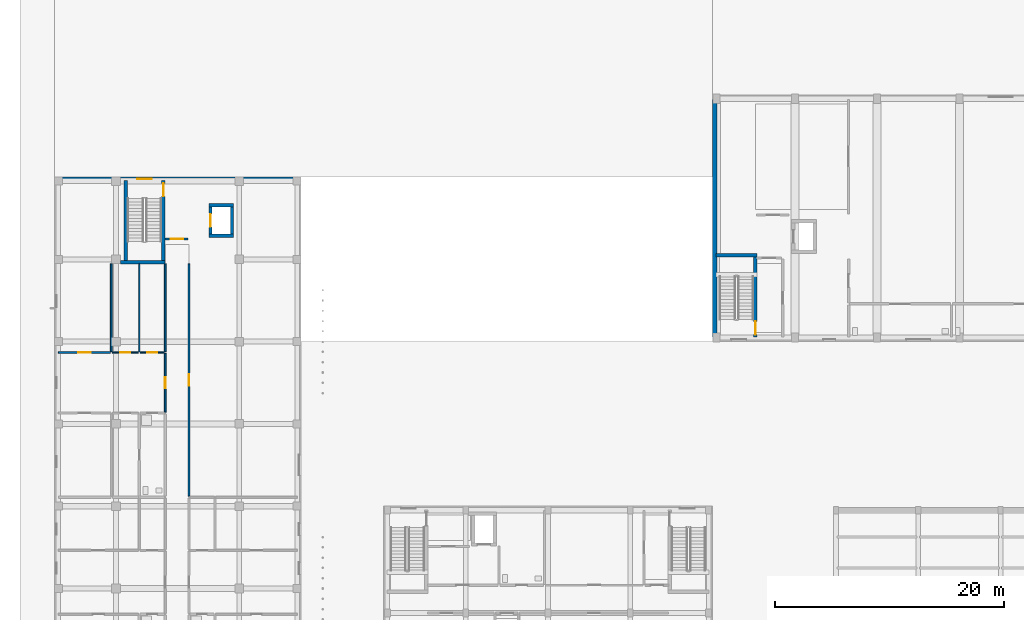
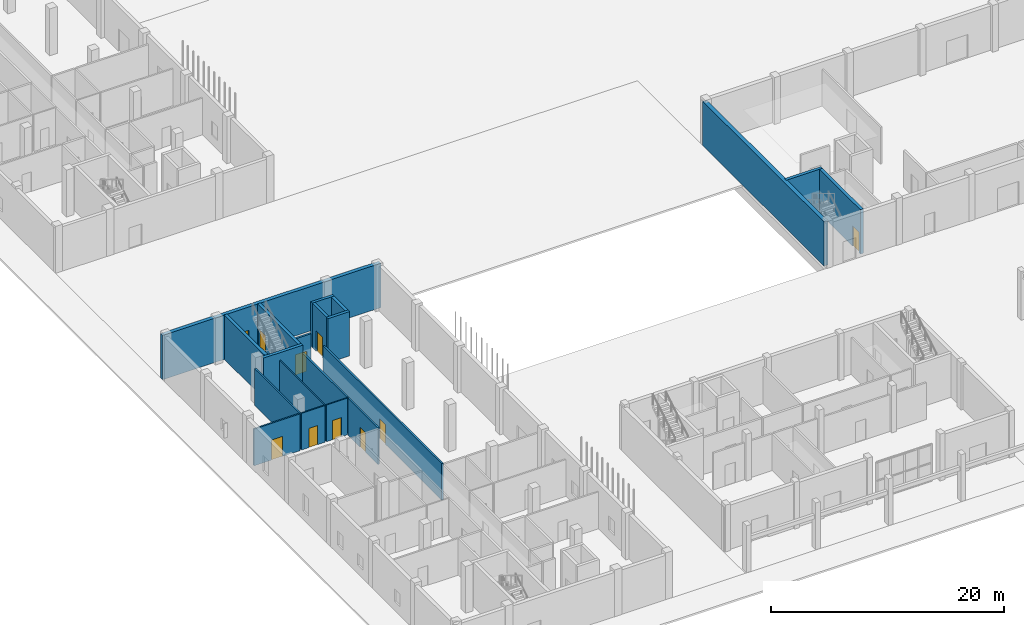
# One storey, part 39 of 85: 20 walls, 10 doors, 10 openings.
"""IFC4 building model written with IfcOpenShell, lengths in metres."""

from ifc_helpers import new_model, si_unit, derived_unit, direction, frame, frame_2d, origin, place, context, subcontext, project, spatial, rectangle, extrude, material, layer, layer_set, type_object, element, fill, save


model = new_model("IFC4")

# Units and contexts
model_context = context("Model", 3, precision=1e-05, world=origin(), true_north=direction((0.0, 1.0)))
body_context = subcontext(model_context, "Body", "Model", "MODEL_VIEW")
ifc_project = project(units=[si_unit("LENGTHUNIT", "METRE"), si_unit("AREAUNIT", "SQUARE_METRE"), si_unit("VOLUMEUNIT", "CUBIC_METRE"), si_unit("PLANEANGLEUNIT", "RADIAN"), si_unit("MASSUNIT", "GRAM", prefix="KILO"), derived_unit("THERMALTRANSMITTANCEUNIT", [(si_unit("MASSUNIT", "GRAM", prefix="KILO"), 1), (si_unit("TIMEUNIT", "SECOND"), -3), (si_unit("THERMODYNAMICTEMPERATUREUNIT", "KELVIN"), -1)])], contexts=[model_context])

# Site, building, storey
site_placement = place(None, origin())
site = spatial("IfcSite", under=ifc_project, at=site_placement, CompositionType="ELEMENT")
building_placement = place(site_placement, origin())
building = spatial("IfcBuilding", under=site, at=building_placement, Name="Ochrekiln Boulevard Commons", CompositionType="ELEMENT")
storey_placement = place(building_placement, origin())
storey = spatial("IfcBuildingStorey", under=building, at=storey_placement, Name="L00", CompositionType="ELEMENT", Elevation=0.0)

# Wall
ifc_material_1 = material(Name="Iron-spot brown clinker brick masonry ASTM C216 Grade SW", Category="masonry")
ifc_layer_1 = layer(ifc_material_1, 0.39990234375)
ifc_layer_set_1 = layer_set([ifc_layer_1], Name="Iron-spot brown clinker brick masonry ASTM C216 Grade SW")
wall_type_1 = type_object("IfcWallType", Name="WL-EXT-HALL-400", PredefinedType="SOLIDWALL", material=ifc_layer_set_1)
wall_1_placement = place(storey_placement, frame((57.800048828125, 36.39990234375, 0.0), z_axis=(0.0, 0.0, 1.0), x_axis=(0.0, 1.0, 0.0)))
element("IfcWall", 1, at=wall_1_placement, inside=storey, type_object=wall_type_1, Name="Community Hall L00 W Exterior Wall", PredefinedType="SOLIDWALL", context=body_context, shape_type="SweptSolid", body=[
    extrude(rectangle(XDim=20.800048828125, YDim=0.39990234375, at=frame_2d((10.39990234375, 0.0))), origin(), (0.0, 0.0, 1.0), 4.6298828125),
])

# Wall, opening, door
ifc_layer_2 = layer(ifc_material_1, 0.364990234375)
ifc_layer_set_2 = layer_set([ifc_layer_2], Name="Iron-spot brown clinker brick masonry ASTM C216 Grade SW")
wall_type_2 = type_object("IfcWallType", Name="WL-EXT-IRON-365", PredefinedType="SOLIDWALL", material=ifc_layer_set_2)
wall_2_placement = place(storey_placement, frame((0.0, 50.217529296875, 0.0), z_axis=(0.0, 0.0, 1.0), x_axis=(1.0, 0.0, 0.0)))
wall_2 = element("IfcWall", 2, at=wall_2_placement, inside=storey, type_object=wall_type_2, Name="Block D L00 N Exterior Wall", PredefinedType="SOLIDWALL", context=body_context, shape_type="SweptSolid", body=[
    extrude(rectangle(XDim=21.60009765625, YDim=0.364990234375, at=frame_2d((10.800048828125, 0.0))), origin(), (0.0, 0.0, 1.0), 4.639892578125),
])
opening_1_placement = place(wall_2_placement, frame((7.25, 0.0, 0.0)))
opening_1 = element("IfcOpeningElement", 3, at=opening_1_placement, cuts=wall_2, Name="Opening D-L00-EX37", PredefinedType="OPENING", context=body_context, shape_type="SweptSolid", body=[
    extrude(rectangle(XDim=1.300048828125, YDim=2.199951171875, at=frame_2d((0.64990234375, 1.10009765625))), frame((0.0, 0.1923828125, 0.0), z_axis=(0.0, -1.0, 0.0), x_axis=(1.0, 0.0, 0.0)), (0.0, 0.0, 1.0), 0.385009765625),
])
ifc_material_2 = material(Name="Bronze-anodized extruded aluminium 6063-T6", Category="aluminium")
door_type_1 = type_object("IfcDoorType", Name="DR-EXT-STAIR-130", OperationType="NOTDEFINED", PredefinedType="DOOR", material=ifc_material_2)
door_1_placement = place(opening_1_placement, origin())
door_1 = element("IfcDoor", 4, at=door_1_placement, inside=storey, type_object=door_type_1, Name="Stair ST-D2 Exterior Exit Discharge Door", OperationType="SINGLE_SWING_LEFT", OverallHeight=2.199951171875, OverallWidth=1.300048828125, PredefinedType="DOOR", context=body_context, shape_type="SweptSolid", body=[
    extrude(rectangle(XDim=1.300048828125, YDim=2.199951171875, at=frame_2d((0.64990234375, 1.10009765625))), frame((0.0, 0.02490234375, 0.0), z_axis=(0.0, -1.0, 0.0), x_axis=(1.0, 0.0, 0.0)), (0.0, 0.0, 1.0), 0.050048828125),
])
fill(opening_1, door_1)

ifc_material_3 = material(Name="Fire-rated Type X gypsum board on steel studs", Category="steel")
ifc_layer_3 = layer(ifc_material_3, 0.1650390625)
ifc_layer_set_3 = layer_set([ifc_layer_3], Name="Fire-rated Type X gypsum board on steel studs")
wall_type_3 = type_object("IfcWallType", Name="WL-PT-CORR-165", PredefinedType="PARTITIONING", material=ifc_layer_set_3)
wall_3_placement = place(storey_placement, frame((9.7099609375, 29.830078125, 0.0), z_axis=(0.0, 0.0, 1.0), x_axis=(0.0, 1.0, 0.0)))
wall_3 = element("IfcWall", 5, at=wall_3_placement, inside=storey, type_object=wall_type_3, Name="L00 Interior Wall W-PC165", PredefinedType="PARTITIONING", context=body_context, shape_type="SweptSolid", body=[
    extrude(rectangle(XDim=5.139892578125, YDim=0.1650390625, at=frame_2d((2.56982421875, 0.0))), origin(), (0.0, 0.0, 1.0), 3.840087890625),
])
opening_2_placement = place(wall_3_placement, frame((2.080078125, 0.0, 0.0)))
opening_2 = element("IfcOpeningElement", 6, at=opening_2_placement, cuts=wall_3, Name="Opening D-L00-084", PredefinedType="OPENING", context=body_context, shape_type="SweptSolid", body=[
    extrude(rectangle(XDim=0.97998046875, YDim=2.080078125, at=frame_2d((0.489990234375, 1.0400390625))), frame((0.0, 0.092529296875, 0.0), z_axis=(0.0, -1.0, 0.0), x_axis=(1.0, 0.0, 0.0)), (0.0, 0.0, 1.0), 0.18505859375),
])
ifc_material_4 = material(Name="Solid core architectural oak door leaf")
door_type_2 = type_object("IfcDoorType", Name="DR-APT-60", OperationType="NOTDEFINED", PredefinedType="DOOR", material=ifc_material_4)
door_2_placement = place(opening_2_placement, origin())
door_2 = element("IfcDoor", 7, at=door_2_placement, inside=storey, type_object=door_type_2, Name="L00 Interior Door to Two-Bedroom Apartment Living Room", OperationType="SINGLE_SWING_RIGHT", OverallHeight=2.080078125, OverallWidth=0.97998046875, PredefinedType="DOOR", context=body_context, shape_type="SweptSolid", body=[
    extrude(rectangle(XDim=0.97998046875, YDim=2.080078125, at=frame_2d((0.489990234375, 1.0400390625))), frame((0.0, 0.02490234375, 0.0), z_axis=(0.0, -1.0, 0.0), x_axis=(1.0, 0.0, 0.0)), (0.0, 0.0, 1.0), 0.050048828125),
])
fill(opening_2, door_2)

# Wall
wall_4_placement = place(storey_placement, frame((9.7099609375, 35.1298828125, 0.0), z_axis=(0.0, 0.0, 1.0), x_axis=(0.0, 1.0, 0.0)))
element("IfcWall", 8, at=wall_4_placement, inside=storey, type_object=wall_type_3, Name="L00 Interior Wall W-PC165", PredefinedType="PARTITIONING", context=body_context, shape_type="SweptSolid", body=[
    extrude(rectangle(XDim=7.670166015625, YDim=0.1650390625, at=frame_2d((3.8349609375, 0.0))), origin(), (0.0, 0.0, 1.0), 3.840087890625),
])

# Wall, opening, door
wall_5_placement = place(storey_placement, frame((11.7900390625, 22.47412109375, 0.0), z_axis=(0.0, 0.0, 1.0), x_axis=(0.0, 1.0, 0.0)))
wall_5 = element("IfcWall", 9, at=wall_5_placement, inside=storey, type_object=wall_type_3, Name="L00 Interior Wall W-PC165", PredefinedType="PARTITIONING", context=body_context, shape_type="SweptSolid", body=[
    extrude(rectangle(XDim=20.325927734375, YDim=0.1650390625, at=frame_2d((10.1630859375, 0.0))), origin(), (0.0, 0.0, 1.0), 3.840087890625),
])
opening_3_placement = place(wall_5_placement, frame((9.673095703125, 0.0, 0.0)))
opening_3 = element("IfcOpeningElement", 10, at=opening_3_placement, cuts=wall_5, Name="Opening D-L00-086", PredefinedType="OPENING", context=body_context, shape_type="SweptSolid", body=[
    extrude(rectangle(XDim=0.97998046875, YDim=2.080078125, at=frame_2d((0.489990234375, 1.0400390625))), frame((0.0, 0.092529296875, 0.0), z_axis=(0.0, -1.0, 0.0), x_axis=(1.0, 0.0, 0.0)), (0.0, 0.0, 1.0), 0.18505859375),
])
door_3_placement = place(opening_3_placement, frame((0.97998046875, 0.0, 0.0), z_axis=(0.0, 0.0, 1.0), x_axis=(-1.0, 0.0, 0.0)))
door_3 = element("IfcDoor", 11, at=door_3_placement, inside=storey, type_object=door_type_2, Name="L00 Interior Door to Block D Ground Entrance Lobby", OperationType="SINGLE_SWING_RIGHT", OverallHeight=2.080078125, OverallWidth=0.97998046875, PredefinedType="DOOR", context=body_context, shape_type="SweptSolid", body=[
    extrude(rectangle(XDim=0.97998046875, YDim=2.080078125, at=frame_2d((0.489990234375, 1.0400390625))), frame((0.0, 0.02490234375, 0.0), z_axis=(0.0, -1.0, 0.0), x_axis=(1.0, 0.0, 0.0)), (0.0, 0.0, 1.0), 0.050048828125),
])
fill(opening_3, door_3)

ifc_layer_4 = layer(ifc_material_3, 0.18994140625)
ifc_layer_set_4 = layer_set([ifc_layer_4], Name="Fire-rated Type X gypsum board on steel studs")
wall_type_4 = type_object("IfcWallType", Name="WL-PT-LBY-190", PredefinedType="PARTITIONING", material=ifc_layer_set_4)
wall_6_placement = place(storey_placement, frame((9.699951171875, 44.97998046875, 0.0), z_axis=(0.0, 0.0, 1.0), x_axis=(1.0, 0.0, 0.0)))
wall_6 = element("IfcWall", 12, at=wall_6_placement, inside=storey, type_object=wall_type_4, Name="L00 Interior Wall W-PL190", PredefinedType="PARTITIONING", context=body_context, shape_type="SweptSolid", body=[
    extrude(rectangle(XDim=2.0, YDim=0.18994140625, at=frame_2d((1.0, 0.0))), origin(), (0.0, 0.0, 1.0), 3.840087890625),
])
opening_4_placement = place(wall_6_placement, frame((0.5, 0.0, 0.0)))
opening_4 = element("IfcOpeningElement", 13, at=opening_4_placement, cuts=wall_6, Name="Opening D-L00-081", PredefinedType="OPENING", context=body_context, shape_type="SweptSolid", body=[
    extrude(rectangle(XDim=1.10009765625, YDim=2.1201171875, at=frame_2d((0.550048828125, 1.06005859375))), frame((0.0, 0.10498046875, 0.0), z_axis=(0.0, -1.0, 0.0), x_axis=(1.0, 0.0, 0.0)), (0.0, 0.0, 1.0), 0.2099609375),
])
ifc_material_5 = material(Name="Hollow metal fire-rated steel door assembly", Category="steel")
door_type_3 = type_object("IfcDoorType", Name="DR-LOBBY-60", OperationType="NOTDEFINED", PredefinedType="DOOR", material=ifc_material_5)
door_4_placement = place(opening_4_placement, origin())
door_4 = element("IfcDoor", 14, at=door_4_placement, inside=storey, type_object=door_type_3, Name="L00 Interior Door to Passenger Elevator Lobby", OperationType="SINGLE_SWING_LEFT", OverallHeight=2.1201171875, OverallWidth=1.10009765625, PredefinedType="DOOR", context=body_context, shape_type="SweptSolid", body=[
    extrude(rectangle(XDim=1.10009765625, YDim=2.1201171875, at=frame_2d((0.550048828125, 1.06005859375))), frame((0.0, 0.02490234375, 0.0), z_axis=(0.0, -1.0, 0.0), x_axis=(1.0, 0.0, 0.0)), (0.0, 0.0, 1.0), 0.050048828125),
])
fill(opening_4, door_4)

ifc_layer_5 = layer(ifc_material_3, 0.1201171875)
ifc_layer_set_5 = layer_set([ifc_layer_5], Name="Fire-rated Type X gypsum board on steel studs")
wall_type_5 = type_object("IfcWallType", Name="WL-PT-LGT-120", PredefinedType="PARTITIONING", material=ifc_layer_set_5)
wall_7_placement = place(storey_placement, frame((7.52001953125, 35.050048828125, 0.0), z_axis=(0.0, 0.0, 1.0), x_axis=(1.0, 0.0, 0.0)))
wall_7 = element("IfcWall", 15, at=wall_7_placement, inside=storey, type_object=wall_type_5, Name="L00 Interior Wall W-PL120", PredefinedType="PARTITIONING", context=body_context, shape_type="SweptSolid", body=[
    extrude(rectangle(XDim=2.10791015625, YDim=0.1201171875, at=frame_2d((1.053955078125, 0.0))), origin(), (0.0, 0.0, 1.0), 3.840087890625),
])
opening_5_placement = place(wall_7_placement, frame((0.625, 0.0, 0.0)))
opening_5 = element("IfcOpeningElement", 16, at=opening_5_placement, cuts=wall_7, Name="Opening D-L00-092", PredefinedType="OPENING", context=body_context, shape_type="SweptSolid", body=[
    extrude(rectangle(XDim=0.85009765625, YDim=2.010009765625, at=frame_2d((0.425048828125, 1.0048828125))), frame((0.0, 0.070068359375, 0.0), z_axis=(0.0, -1.0, 0.0), x_axis=(1.0, 0.0, 0.0)), (0.0, 0.0, 1.0), 0.14013671875),
])
door_type_4 = type_object("IfcDoorType", Name="DR-INT-KIT-085", OperationType="NOTDEFINED", PredefinedType="DOOR", material=ifc_material_4)
door_5_placement = place(opening_5_placement, origin())
door_5 = element("IfcDoor", 17, at=door_5_placement, inside=storey, type_object=door_type_4, Name="L00 Interior Door to Apartment Kitchen", OperationType="SINGLE_SWING_RIGHT", OverallHeight=2.010009765625, OverallWidth=0.85009765625, PredefinedType="DOOR", context=body_context, shape_type="SweptSolid", body=[
    extrude(rectangle(XDim=0.85009765625, YDim=2.010009765625, at=frame_2d((0.425048828125, 1.0048828125))), frame((0.0, 0.02490234375, 0.0), z_axis=(0.0, -1.0, 0.0), x_axis=(1.0, 0.0, 0.0)), (0.0, 0.0, 1.0), 0.050048828125),
])
fill(opening_5, door_5)

wall_8_placement = place(storey_placement, frame((5.072998046875, 35.050048828125, 0.0), z_axis=(0.0, 0.0, 1.0), x_axis=(1.0, 0.0, 0.0)))
wall_8 = element("IfcWall", 18, at=wall_8_placement, inside=storey, type_object=wall_type_5, Name="L00 Interior Wall W-PL120", PredefinedType="PARTITIONING", context=body_context, shape_type="SweptSolid", body=[
    extrude(rectangle(XDim=2.287109375, YDim=0.1201171875, at=frame_2d((1.1435546875, 0.0))), origin(), (0.0, 0.0, 1.0), 3.840087890625),
])
opening_6_placement = place(wall_8_placement, frame((0.718017578125, 0.0, 0.0)))
opening_6 = element("IfcOpeningElement", 19, at=opening_6_placement, cuts=wall_8, Name="Opening D-L00-096", PredefinedType="OPENING", context=body_context, shape_type="SweptSolid", body=[
    extrude(rectangle(XDim=0.85009765625, YDim=2.010009765625, at=frame_2d((0.425048828125, 1.0048828125))), frame((0.0, 0.070068359375, 0.0), z_axis=(0.0, -1.0, 0.0), x_axis=(1.0, 0.0, 0.0)), (0.0, 0.0, 1.0), 0.14013671875),
])
door_6_placement = place(opening_6_placement, origin())
door_6 = element("IfcDoor", 20, at=door_6_placement, inside=storey, type_object=door_type_4, Name="L00 Interior Door to Apartment Walk-In Wardrobe", OperationType="SINGLE_SWING_RIGHT", OverallHeight=2.010009765625, OverallWidth=0.85009765625, PredefinedType="DOOR", context=body_context, shape_type="SweptSolid", body=[
    extrude(rectangle(XDim=0.85009765625, YDim=2.010009765625, at=frame_2d((0.425048828125, 1.0048828125))), frame((0.0, 0.02490234375, 0.0), z_axis=(0.0, -1.0, 0.0), x_axis=(1.0, 0.0, 0.0)), (0.0, 0.0, 1.0), 0.050048828125),
])
fill(opening_6, door_6)

# Wall
wall_9_placement = place(storey_placement, frame((7.43994140625, 35.110107421875, 0.0), z_axis=(0.0, 0.0, 1.0), x_axis=(0.0, 1.0, 0.0)))
element("IfcWall", 21, at=wall_9_placement, inside=storey, type_object=wall_type_5, Name="L00 Interior Wall W-PL120", PredefinedType="PARTITIONING", context=body_context, shape_type="SweptSolid", body=[
    extrude(rectangle(XDim=7.68994140625, YDim=0.1201171875, at=frame_2d((3.844970703125, 0.0))), origin(), (0.0, 0.0, 1.0), 3.840087890625),
])

# Wall, opening, door
ifc_layer_6 = layer(ifc_material_3, 0.14990234375)
ifc_layer_set_6 = layer_set([ifc_layer_6], Name="Fire-rated Type X gypsum board on steel studs")
wall_type_6 = type_object("IfcWallType", Name="WL-PT-STD-150", PredefinedType="PARTITIONING", material=ifc_layer_set_6)
wall_10_placement = place(storey_placement, frame((0.35009765625, 35.050048828125, 0.0), z_axis=(0.0, 0.0, 1.0), x_axis=(1.0, 0.0, 0.0)))
wall_10 = element("IfcWall", 22, at=wall_10_placement, inside=storey, type_object=wall_type_6, Name="L00 Interior Wall W-PS150", PredefinedType="PARTITIONING", context=body_context, shape_type="SweptSolid", body=[
    extrude(rectangle(XDim=4.56298828125, YDim=0.14990234375, at=frame_2d((2.281494140625, 0.0))), origin(), (0.0, 0.0, 1.0), 3.840087890625),
])
opening_7_placement = place(wall_10_placement, frame((1.740966796875, 0.0, 0.0)))
opening_7 = element("IfcOpeningElement", 23, at=opening_7_placement, cuts=wall_10, Name="Opening D-L00-095", PredefinedType="OPENING", context=body_context, shape_type="SweptSolid", body=[
    extrude(rectangle(XDim=1.080078125, YDim=2.10009765625, at=frame_2d((0.5400390625, 1.050048828125))), frame((0.0, 0.0849609375, 0.0), z_axis=(0.0, -1.0, 0.0), x_axis=(1.0, 0.0, 0.0)), (0.0, 0.0, 1.0), 0.169921875),
])
door_type_5 = type_object("IfcDoorType", Name="DR-INT-BED-108", OperationType="NOTDEFINED", PredefinedType="DOOR", material=ifc_material_4)
door_7_placement = place(opening_7_placement, origin())
door_7 = element("IfcDoor", 24, at=door_7_placement, inside=storey, type_object=door_type_5, Name="L00 Interior Door to Secondary Apartment Bedroom", OperationType="SINGLE_SWING_LEFT", OverallHeight=2.10009765625, OverallWidth=1.080078125, PredefinedType="DOOR", context=body_context, shape_type="SweptSolid", body=[
    extrude(rectangle(XDim=1.080078125, YDim=2.10009765625, at=frame_2d((0.5400390625, 1.050048828125))), frame((0.0, 0.02490234375, 0.0), z_axis=(0.0, -1.0, 0.0), x_axis=(1.0, 0.0, 0.0)), (0.0, 0.0, 1.0), 0.050048828125),
])
fill(opening_7, door_7)

# Walls
wall_11_placement = place(storey_placement, frame((4.992919921875, 35.125, 0.0), z_axis=(0.0, 0.0, 1.0), x_axis=(0.0, 1.0, 0.0)))
element("IfcWall", 25, at=wall_11_placement, inside=storey, type_object=wall_type_6, Name="L00 Interior Wall W-PS150", PredefinedType="PARTITIONING", context=body_context, shape_type="SweptSolid", body=[
    extrude(rectangle(XDim=7.675048828125, YDim=0.14990234375, at=frame_2d((3.83740234375, 0.0))), origin(), (0.0, 0.0, 1.0), 3.840087890625),
])
ifc_material_6 = material(Name="Concrete C40/50", Category="concrete")
ifc_layer_7 = layer(ifc_material_6, 0.27490234375)
ifc_layer_set_7 = layer_set([ifc_layer_7], Name="Concrete C40/50")
wall_type_7 = type_object("IfcWallType", Name="WL-SH-275", PredefinedType="SHEAR", material=ifc_layer_set_7)
for number, where, z_axis, x_axis, name in (
    (26, (13.52490234375, 45.262451171875, 0.0), (0.0, 0.0, 1.0), (1.0, 0.0, 0.0), "Elevator LP-D2 L00 Hoistway Shear Wall"),
    (27, (13.52490234375, 47.9375, 0.0), (0.0, 0.0, 1.0), (1.0, 0.0, 0.0), "Elevator LP-D2 L00 Hoistway Shear Wall"),
):
    element("IfcWall", number, at=place(storey_placement, frame(where, z_axis=z_axis, x_axis=x_axis)), inside=storey, type_object=wall_type_7, Name=name, PredefinedType="SHEAR", context=body_context, shape_type="SweptSolid", body=[
        extrude(rectangle(XDim=2.150146484375, YDim=0.27490234375, at=frame_2d((1.0751953125, 0.0))), origin(), (0.0, 0.0, 1.0), 4.639892578125),
    ])

# Wall, opening, door
wall_12_placement = place(storey_placement, frame((13.66259765625, 45.39990234375, 0.0), z_axis=(0.0, 0.0, 1.0), x_axis=(0.0, 1.0, 0.0)))
wall_12 = element("IfcWall", 28, at=wall_12_placement, inside=storey, type_object=wall_type_7, Name="Elevator LP-D2 L00 Hoistway Shear Wall", PredefinedType="SHEAR", context=body_context, shape_type="SweptSolid", body=[
    extrude(rectangle(XDim=2.400146484375, YDim=0.27490234375, at=frame_2d((1.2001953125, 0.0))), origin(), (0.0, 0.0, 1.0), 4.639892578125),
])
opening_8_placement = place(wall_12_placement, frame((0.64990234375, 0.0, 0.0)))
opening_8 = element("IfcOpeningElement", 29, at=opening_8_placement, cuts=wall_12, Name="Opening LD-LP-D2-L00", PredefinedType="OPENING", context=body_context, shape_type="SweptSolid", body=[
    extrude(rectangle(XDim=1.10009765625, YDim=2.14990234375, at=frame_2d((0.550048828125, 1.074951171875))), frame((0.0, 0.1474609375, 0.0), z_axis=(0.0, -1.0, 0.0), x_axis=(1.0, 0.0, 0.0)), (0.0, 0.0, 1.0), 0.294921875),
])
ifc_material_7 = material(Name="Brushed stainless steel 316 elevator cab and doors", Category="steel")
door_type_6 = type_object("IfcDoorType", Name="DR-LIFT-LD90", OperationType="SLIDING_TO_LEFT", PredefinedType="DOOR", material=ifc_material_7)
door_8_placement = place(opening_8_placement, origin())
door_8 = element("IfcDoor", 30, at=door_8_placement, inside=storey, type_object=door_type_6, Name="Elevator LP-D2 L00 Sliding Landing Door LD-LP-D2-L00", OperationType="SLIDING_TO_LEFT", OverallHeight=2.14990234375, OverallWidth=1.10009765625, PredefinedType="DOOR", context=body_context, shape_type="SweptSolid", body=[
    extrude(rectangle(XDim=1.10009765625, YDim=2.14990234375, at=frame_2d((0.550048828125, 1.074951171875))), frame((0.0, 0.02490234375, 0.0), z_axis=(0.0, -1.0, 0.0), x_axis=(1.0, 0.0, 0.0)), (0.0, 0.0, 1.0), 0.050048828125),
])
fill(opening_8, door_8)

# Walls
wall_13_placement = place(storey_placement, frame((15.53759765625, 45.39990234375, 0.0), z_axis=(0.0, 0.0, 1.0), x_axis=(0.0, 1.0, 0.0)))
element("IfcWall", 31, at=wall_13_placement, inside=storey, type_object=wall_type_7, Name="Elevator LP-D2 L00 Hoistway Shear Wall", PredefinedType="SHEAR", context=body_context, shape_type="SweptSolid", body=[
    extrude(rectangle(XDim=2.400146484375, YDim=0.27490234375, at=frame_2d((1.2001953125, 0.0))), origin(), (0.0, 0.0, 1.0), 4.639892578125),
])
ifc_layer_8 = layer(ifc_material_6, 0.300048828125)
ifc_layer_set_8 = layer_set([ifc_layer_8], Name="Concrete C40/50")
wall_type_8 = type_object("IfcWallType", Name="WL-SH-300", PredefinedType="SHEAR", material=ifc_layer_set_8)
wall_14_placement = place(storey_placement, frame((5.77490234375, 42.929931640625, 0.0), z_axis=(0.0, 0.0, 1.0), x_axis=(1.0, 0.0, 0.0)))
element("IfcWall", 32, at=wall_14_placement, inside=storey, type_object=wall_type_8, Name="Stair ST-D2 L00 Core Shear Wall S", PredefinedType="SHEAR", context=body_context, shape_type="SweptSolid", body=[
    extrude(rectangle(XDim=3.925048828125, YDim=0.300048828125, at=frame_2d((1.96240234375, 0.0))), origin(), (0.0, 0.0, 1.0), 4.639892578125),
])
wall_15_placement = place(storey_placement, frame((6.25, 43.080078125, 0.0), z_axis=(0.0, 0.0, 1.0), x_axis=(0.0, 1.0, 0.0)))
element("IfcWall", 33, at=wall_15_placement, inside=storey, type_object=wall_type_8, Name="Stair ST-D2 L00 Core Shear Wall W", PredefinedType="SHEAR", context=body_context, shape_type="SweptSolid", body=[
    extrude(rectangle(XDim=7.0, YDim=0.300048828125, at=frame_2d((3.5, 0.0))), origin(), (0.0, 0.0, 1.0), 4.639892578125),
])

# Wall, opening, door
wall_16_placement = place(storey_placement, frame((9.550048828125, 43.080078125, 0.0), z_axis=(0.0, 0.0, 1.0), x_axis=(0.0, 1.0, 0.0)))
wall_16 = element("IfcWall", 34, at=wall_16_placement, inside=storey, type_object=wall_type_8, Name="Stair ST-D2 L00 Core Shear Wall E", PredefinedType="SHEAR", context=body_context, shape_type="SweptSolid", body=[
    extrude(rectangle(XDim=7.0, YDim=0.300048828125, at=frame_2d((3.5, 0.0))), origin(), (0.0, 0.0, 1.0), 4.639892578125),
])
opening_9_placement = place(wall_16_placement, frame((5.625, 0.0, 0.0)))
opening_9 = element("IfcOpeningElement", 35, at=opening_9_placement, cuts=wall_16, Name="Opening D-L00-ST-D2", PredefinedType="OPENING", context=body_context, shape_type="SweptSolid", body=[
    extrude(rectangle(XDim=1.14990234375, YDim=2.1201171875, at=frame_2d((0.574951171875, 1.06005859375))), frame((0.0, 0.159912109375, 0.0), z_axis=(0.0, -1.0, 0.0), x_axis=(1.0, 0.0, 0.0)), (0.0, 0.0, 1.0), 0.320068359375),
])
door_type_7 = type_object("IfcDoorType", Name="DR-STAIR-90", OperationType="NOTDEFINED", PredefinedType="DOOR", material=ifc_material_5)
door_9_placement = place(opening_9_placement, origin())
door_9 = element("IfcDoor", 36, at=door_9_placement, inside=storey, type_object=door_type_7, Name="Enclosed Exit Stair ST-D2 L00 Rated Door", OperationType="SINGLE_SWING_RIGHT", OverallHeight=2.1201171875, OverallWidth=1.14990234375, PredefinedType="DOOR", context=body_context, shape_type="SweptSolid", body=[
    extrude(rectangle(XDim=1.14990234375, YDim=2.1201171875, at=frame_2d((0.574951171875, 1.06005859375))), frame((0.0, 0.02490234375, 0.0), z_axis=(0.0, -1.0, 0.0), x_axis=(1.0, 0.0, 0.0)), (0.0, 0.0, 1.0), 0.050048828125),
])
fill(opening_9, door_9)

# Wall
wall_17_placement = place(storey_placement, frame((57.89990234375, 43.550048828125, 0.0), z_axis=(0.0, 0.0, 1.0), x_axis=(1.0, 0.0, 0.0)))
element("IfcWall", 37, at=wall_17_placement, inside=storey, type_object=wall_type_8, Name="Stair ST-H1 L00 Core Shear Wall N", PredefinedType="SHEAR", context=body_context, shape_type="SweptSolid", body=[
    extrude(rectangle(XDim=3.60009765625, YDim=0.300048828125, at=frame_2d((1.800048828125, 0.0))), origin(), (0.0, 0.0, 1.0), 4.6298828125),
])

# Wall, opening, door
wall_18_placement = place(storey_placement, frame((61.35009765625, 36.39990234375, 0.0), z_axis=(0.0, 0.0, 1.0), x_axis=(0.0, 1.0, 0.0)))
wall_18 = element("IfcWall", 38, at=wall_18_placement, inside=storey, type_object=wall_type_8, Name="Stair ST-H1 L00 Core Shear Wall E", PredefinedType="SHEAR", context=body_context, shape_type="SweptSolid", body=[
    extrude(rectangle(XDim=7.0, YDim=0.300048828125, at=frame_2d((3.5, 0.0))), origin(), (0.0, 0.0, 1.0), 4.6298828125),
])
opening_10_placement = place(wall_18_placement, frame((0.22509765625, 0.0, 0.0)))
opening_10 = element("IfcOpeningElement", 39, at=opening_10_placement, cuts=wall_18, Name="Opening D-L00-ST-H1", PredefinedType="OPENING", context=body_context, shape_type="SweptSolid", body=[
    extrude(rectangle(XDim=1.14990234375, YDim=2.1201171875, at=frame_2d((0.574951171875, 1.06005859375))), frame((0.0, 0.159912109375, 0.0), z_axis=(0.0, -1.0, 0.0), x_axis=(1.0, 0.0, 0.0)), (0.0, 0.0, 1.0), 0.320068359375),
])
door_10_placement = place(opening_10_placement, origin())
door_10 = element("IfcDoor", 40, at=door_10_placement, inside=storey, type_object=door_type_7, Name="Enclosed Exit Stair ST-H1 L00 Rated Door", OperationType="SINGLE_SWING_LEFT", OverallHeight=2.1201171875, OverallWidth=1.14990234375, PredefinedType="DOOR", context=body_context, shape_type="SweptSolid", body=[
    extrude(rectangle(XDim=1.14990234375, YDim=2.1201171875, at=frame_2d((0.574951171875, 1.06005859375))), frame((0.0, 0.02490234375, 0.0), z_axis=(0.0, -1.0, 0.0), x_axis=(1.0, 0.0, 0.0)), (0.0, 0.0, 1.0), 0.050048828125),
])
fill(opening_10, door_10)

save(model, "model.ifc")
